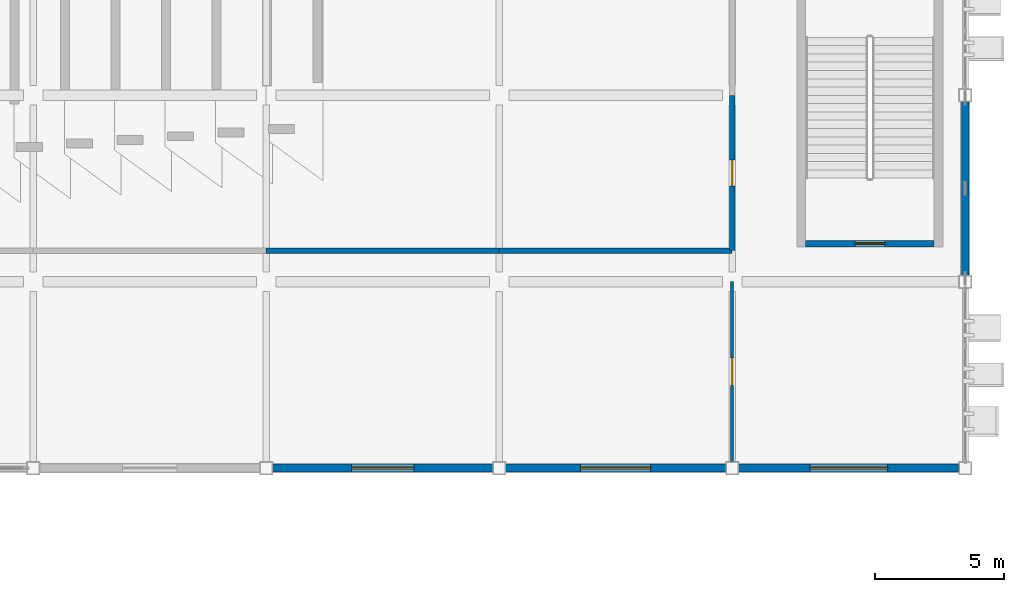
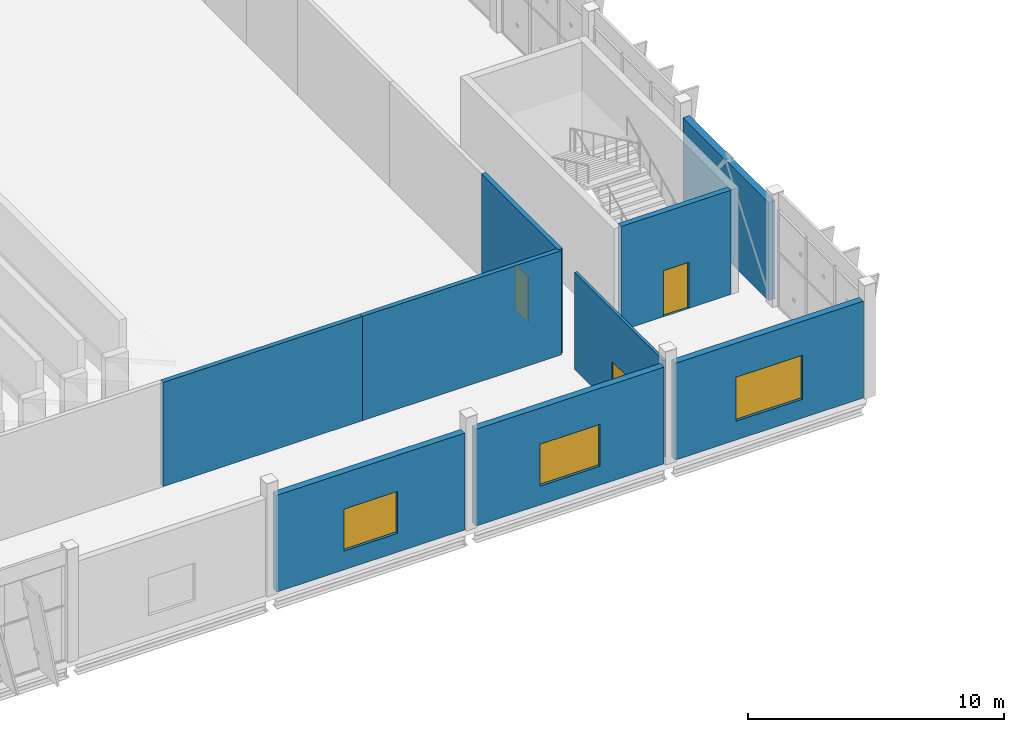
# One storey, part 138 of 189: 9 walls, 3 doors, 3 windows, 6 openings.
"""IFC4 building model written with IfcOpenShell, lengths in metres."""

from ifc_helpers import new_model, si_unit, direction, frame, frame_2d, origin, place, context, subcontext, project, spatial, rectangle, extrude, material, layer, layer_set, type_object, element, fill, save


model = new_model("IFC4")

# Units and contexts
model_context = context("Model", 3, precision=1e-05, world=origin(), true_north=direction((0.0, 1.0)))
body_context = subcontext(model_context, "Body", "Model", "MODEL_VIEW")
ifc_project = project(units=[si_unit("LENGTHUNIT", "METRE"), si_unit("AREAUNIT", "SQUARE_METRE"), si_unit("VOLUMEUNIT", "CUBIC_METRE"), si_unit("PLANEANGLEUNIT", "RADIAN"), si_unit("MASSUNIT", "GRAM", prefix="KILO")], contexts=[model_context])

# Site, building, storey
site_placement = place(None, origin())
site = spatial("IfcSite", under=ifc_project, at=site_placement, CompositionType="ELEMENT")
building_placement = place(site_placement, origin())
building = spatial("IfcBuilding", under=site, at=building_placement, Name="Celestram Park Convention Centre", CompositionType="ELEMENT")
storey_placement = place(building_placement, frame((0.0, 0.0, 5.39990234375)))
storey = spatial("IfcBuildingStorey", under=building, at=storey_placement, Name="L01", CompositionType="ELEMENT", Elevation=5.39990234375)

# Walls
ifc_material_1 = material(Name="Double-Stud Acoustic Gypsum Assembly", Category="gypsum")
ifc_layer_1 = layer(ifc_material_1, 0.199951171875)
ifc_layer_set_1 = layer_set([ifc_layer_1], Name="Double-Stud Acoustic Gypsum Assembly")
wall_type_1 = type_object("IfcWallType", Name="ARC-WL-ACO200", PredefinedType="PARTITIONING", material=ifc_layer_set_1)
for number, where, z_axis, x_axis, name in (
    (1, (189.0, 123.60009765625, 0.0), (0.0, 0.0, 1.0), (1.0, 0.0, 0.0), "Interior partition WL-L01-IN0712"),
    (2, (198.0, 123.60009765625, 0.0), (0.0, 0.0, 1.0), (1.0, 0.0, 0.0), "Interior partition WL-L01-IN0713"),
):
    element("IfcWall", number, at=place(storey_placement, frame(where, z_axis=z_axis, x_axis=x_axis)), inside=storey, type_object=wall_type_1, Name=name, PredefinedType="PARTITIONING", context=body_context, shape_type="SweptSolid", body=[
        extrude(rectangle(XDim=9.0, YDim=0.199951171875, at=frame_2d((4.5, 0.0))), origin(), (0.0, 0.0, 1.0), 4.97998046875),
    ])

# Wall, opening, door
wall_1_placement = place(storey_placement, frame((207.0, 123.60009765625, 0.0), z_axis=(0.0, 0.0, 1.0), x_axis=(0.0, 1.0, 0.0)))
wall_1 = element("IfcWall", 3, at=wall_1_placement, inside=storey, type_object=wall_type_1, Name="Interior partition WL-L01-IN0787", PredefinedType="PARTITIONING", context=body_context, shape_type="SweptSolid", body=[
    extrude(rectangle(XDim=6.0, YDim=0.199951171875, at=frame_2d((3.0, 0.0))), origin(), (0.0, 0.0, 1.0), 4.97998046875),
])
opening_1_placement = place(wall_1_placement, frame((2.5, 0.0, 0.0)))
opening_1 = element("IfcOpeningElement", 4, at=opening_1_placement, cuts=wall_1, Name="Opening D-07", PredefinedType="OPENING", context=body_context, shape_type="SweptSolid", body=[
    extrude(rectangle(XDim=1.0, YDim=2.14990234375, at=frame_2d((0.5, 1.074951171875))), frame((0.0, 0.10986328125, 0.0), z_axis=(0.0, -1.0, 0.0), x_axis=(1.0, 0.0, 0.0)), (0.0, 0.0, 1.0), 0.219970703125),
])
ifc_material_2 = material(Name="Solid Core White Oak Single Door", Category="wood")
door_type_1 = type_object("IfcDoorType", Name="ARC-DR-RM100", OperationType="NOTDEFINED", PredefinedType="DOOR", material=ifc_material_2)
door_1_placement = place(opening_1_placement, origin())
door_1 = element("IfcDoor", 5, at=door_1_placement, inside=storey, type_object=door_type_1, Name="Plenary Stage & Sound Lock entrance door", OperationType="SINGLE_SWING_RIGHT", OverallHeight=2.14990234375, OverallWidth=1.0, PredefinedType="DOOR", context=body_context, shape_type="SweptSolid", body=[
    extrude(rectangle(XDim=1.0, YDim=2.14990234375, at=frame_2d((0.5, 1.074951171875))), frame((0.0, 0.02490234375, 0.0), z_axis=(0.0, -1.0, 0.0), x_axis=(1.0, 0.0, 0.0)), (0.0, 0.0, 1.0), 0.050048828125),
])
fill(opening_1, door_1)

ifc_material_3 = material(Name="Concrete Block Masonry C25/30", Category="masonry")
ifc_layer_2 = layer(ifc_material_3, 0.25)
ifc_layer_set_2 = layer_set([ifc_layer_2], Name="Concrete Block Masonry C25/30")
wall_type_2 = type_object("IfcWallType", Name="ARC-WL-COR250", PredefinedType="STANDARD", material=ifc_layer_set_2)
wall_2_placement = place(storey_placement, frame((209.840087890625, 123.875, 0.0), z_axis=(0.0, 0.0, 1.0), x_axis=(1.0, 0.0, 0.0)))
wall_2 = element("IfcWall", 6, at=wall_2_placement, inside=storey, type_object=wall_type_2, Name="Core S08 stair entrance wall", PredefinedType="STANDARD", context=body_context, shape_type="SweptSolid", body=[
    extrude(rectangle(XDim=4.9599609375, YDim=0.25, at=frame_2d((2.47998046875, 0.0))), origin(), (0.0, 0.0, 1.0), 4.97998046875),
])
opening_2_placement = place(wall_2_placement, frame((1.905029296875, 0.0, 0.0)))
opening_2 = element("IfcOpeningElement", 7, at=opening_2_placement, cuts=wall_2, Name="Opening D-ST1", PredefinedType="OPENING", context=body_context, shape_type="SweptSolid", body=[
    extrude(rectangle(XDim=1.14990234375, YDim=2.199951171875, at=frame_2d((0.574951171875, 1.10009765625))), frame((0.0, 0.135009765625, 0.0), z_axis=(0.0, -1.0, 0.0), x_axis=(1.0, 0.0, 0.0)), (0.0, 0.0, 1.0), 0.27001953125),
])
ifc_material_4 = material(Name="Fire-Rated Hollow Metal Steel ASTM A653", Category="steel")
door_type_2 = type_object("IfcDoorType", Name="ARC-DR-ST115", OperationType="NOTDEFINED", PredefinedType="DOOR", material=ifc_material_4)
door_2_placement = place(opening_2_placement, origin())
door_2 = element("IfcDoor", 8, at=door_2_placement, inside=storey, type_object=door_type_2, Name="Exit stair ST-08 fire door", OperationType="SINGLE_SWING_LEFT", OverallHeight=2.199951171875, OverallWidth=1.14990234375, PredefinedType="DOOR", context=body_context, shape_type="SweptSolid", body=[
    extrude(rectangle(XDim=1.14990234375, YDim=2.199951171875, at=frame_2d((0.574951171875, 1.10009765625))), frame((0.0, 0.02490234375, 0.0), z_axis=(0.0, -1.0, 0.0), x_axis=(1.0, 0.0, 0.0)), (0.0, 0.0, 1.0), 0.050048828125),
])
fill(opening_2, door_2)

# Wall
ifc_material_5 = material(Name="Precast Concrete C40/50", Category="concrete")
ifc_layer_3 = layer(ifc_material_5, 0.300048828125)
ifc_layer_set_3 = layer_set([ifc_layer_3], Name="Precast Concrete C40/50")
wall_type_3 = type_object("IfcWallType", Name="ARC-WL-EXT300", PredefinedType="STANDARD", material=ifc_layer_set_3)
wall_3_placement = place(storey_placement, frame((216.0, 129.35205078125, 0.0), z_axis=(0.0, 0.0, 1.0), x_axis=(0.0, -1.0, 0.0)))
element("IfcWall", 9, at=wall_3_placement, inside=storey, type_object=wall_type_3, Name="Bush-hammered precast exterior wall WL-L01-EW108", PredefinedType="STANDARD", context=body_context, shape_type="SweptSolid", body=[
    extrude(rectangle(XDim=6.7041015625, YDim=0.300048828125, at=frame_2d((3.35205078125, 0.0))), origin(), (0.0, 0.0, 1.0), 4.68017578125),
])

# Wall, opening, window
wall_4_placement = place(storey_placement, frame((215.751953125, 115.199951171875, 0.0), z_axis=(0.0, 0.0, 1.0), x_axis=(-1.0, 0.0, 0.0)))
wall_4 = element("IfcWall", 10, at=wall_4_placement, inside=storey, type_object=wall_type_3, Name="Bush-hammered precast exterior wall WL-L01-EW109", PredefinedType="STANDARD", context=body_context, shape_type="SweptSolid", body=[
    extrude(rectangle(XDim=8.50390625, YDim=0.300048828125, at=frame_2d((4.251953125, 0.0))), origin(), (0.0, 0.0, 1.0), 4.6240234375),
])
opening_3_placement = place(wall_4_placement, frame((2.751953125, 0.0, 0.89990234375)))
opening_3 = element("IfcOpeningElement", 11, at=opening_3_placement, cuts=wall_4, Name="Opening W-02", PredefinedType="OPENING", context=body_context, shape_type="SweptSolid", body=[
    extrude(rectangle(XDim=3.0, YDim=2.10009765625, at=frame_2d((1.5, 1.050048828125))), frame((0.0, 0.159912109375, 0.0), z_axis=(0.0, -1.0, 0.0), x_axis=(1.0, 0.0, 0.0)), (0.0, 0.0, 1.0), 0.320068359375),
])
ifc_material_6 = material(Name="Thermally Broken Aluminium & Triple Glazing", Category="aluminium")
window_type_1 = type_object("IfcWindowType", Name="ARC-WN-300X220", PartitioningType="SINGLE_PANEL", PredefinedType="WINDOW", material=ifc_material_6)
window_1_placement = place(opening_3_placement, origin())
window_1 = element("IfcWindow", 12, at=window_1_placement, inside=storey, type_object=window_type_1, Name="Punched exterior window WN-L01-026", OverallHeight=2.10009765625, OverallWidth=3.0, PartitioningType="SINGLE_PANEL", PredefinedType="WINDOW", context=body_context, shape_type="SweptSolid", body=[
    extrude(rectangle(XDim=3.0, YDim=2.10009765625, at=frame_2d((1.5, 1.050048828125))), frame((0.0, 0.030029296875, 0.0), z_axis=(0.0, -1.0, 0.0), x_axis=(1.0, 0.0, 0.0)), (0.0, 0.0, 1.0), 0.06005859375),
])
fill(opening_3, window_1)

wall_5_placement = place(storey_placement, frame((206.751953125, 115.199951171875, 0.0), z_axis=(0.0, 0.0, 1.0), x_axis=(-1.0, 0.0, 0.0)))
wall_5 = element("IfcWall", 13, at=wall_5_placement, inside=storey, type_object=wall_type_3, Name="Bush-hammered precast exterior wall WL-L01-EW110", PredefinedType="STANDARD", context=body_context, shape_type="SweptSolid", body=[
    extrude(rectangle(XDim=8.50390625, YDim=0.300048828125, at=frame_2d((4.251953125, 0.0))), origin(), (0.0, 0.0, 1.0), 4.6240234375),
])
opening_4_placement = place(wall_5_placement, frame((2.902099609375, 0.0, 0.89990234375)))
opening_4 = element("IfcOpeningElement", 14, at=opening_4_placement, cuts=wall_5, Name="Opening W-03", PredefinedType="OPENING", context=body_context, shape_type="SweptSolid", body=[
    extrude(rectangle(XDim=2.699951171875, YDim=2.0, at=frame_2d((1.35009765625, 1.0))), frame((0.0, 0.159912109375, 0.0), z_axis=(0.0, -1.0, 0.0), x_axis=(1.0, 0.0, 0.0)), (0.0, 0.0, 1.0), 0.320068359375),
])
window_type_2 = type_object("IfcWindowType", Name="ARC-WN-270X200", PartitioningType="SINGLE_PANEL", PredefinedType="WINDOW", material=ifc_material_6)
window_2_placement = place(opening_4_placement, origin())
window_2 = element("IfcWindow", 15, at=window_2_placement, inside=storey, type_object=window_type_2, Name="Punched exterior window WN-L01-027", OverallHeight=2.0, OverallWidth=2.699951171875, PartitioningType="SINGLE_PANEL", PredefinedType="WINDOW", context=body_context, shape_type="SweptSolid", body=[
    extrude(rectangle(XDim=2.699951171875, YDim=2.0, at=frame_2d((1.35009765625, 1.0))), frame((0.0, 0.030029296875, 0.0), z_axis=(0.0, -1.0, 0.0), x_axis=(1.0, 0.0, 0.0)), (0.0, 0.0, 1.0), 0.06005859375),
])
fill(opening_4, window_2)

wall_6_placement = place(storey_placement, frame((197.751953125, 115.199951171875, 0.0), z_axis=(0.0, 0.0, 1.0), x_axis=(-1.0, 0.0, 0.0)))
wall_6 = element("IfcWall", 16, at=wall_6_placement, inside=storey, type_object=wall_type_3, Name="Bush-hammered precast exterior wall WL-L01-EW111", PredefinedType="STANDARD", context=body_context, shape_type="SweptSolid", body=[
    extrude(rectangle(XDim=8.50390625, YDim=0.300048828125, at=frame_2d((4.251953125, 0.0))), origin(), (0.0, 0.0, 1.0), 4.6240234375),
])
opening_5_placement = place(wall_6_placement, frame((3.052001953125, 0.0, 0.89990234375)))
opening_5 = element("IfcOpeningElement", 17, at=opening_5_placement, cuts=wall_6, Name="Opening W-04", PredefinedType="OPENING", context=body_context, shape_type="SweptSolid", body=[
    extrude(rectangle(XDim=2.39990234375, YDim=2.0, at=frame_2d((1.199951171875, 1.0))), frame((0.0, 0.159912109375, 0.0), z_axis=(0.0, -1.0, 0.0), x_axis=(1.0, 0.0, 0.0)), (0.0, 0.0, 1.0), 0.320068359375),
])
window_type_3 = type_object("IfcWindowType", Name="ARC-WN-240X200", PartitioningType="SINGLE_PANEL", PredefinedType="WINDOW", material=ifc_material_6)
window_3_placement = place(opening_5_placement, origin())
window_3 = element("IfcWindow", 18, at=window_3_placement, inside=storey, type_object=window_type_3, Name="Punched exterior window WN-L01-028", OverallHeight=2.0, OverallWidth=2.39990234375, PartitioningType="SINGLE_PANEL", PredefinedType="WINDOW", context=body_context, shape_type="SweptSolid", body=[
    extrude(rectangle(XDim=2.39990234375, YDim=2.0, at=frame_2d((1.199951171875, 1.0))), frame((0.0, 0.030029296875, 0.0), z_axis=(0.0, -1.0, 0.0), x_axis=(1.0, 0.0, 0.0)), (0.0, 0.0, 1.0), 0.06005859375),
])
fill(opening_5, window_3)

# Wall, opening, door
ifc_material_7 = material(Name="Standard Gypsum & Steel Stud 120 mm", Category="steel")
ifc_layer_4 = layer(ifc_material_7, 0.1201171875)
ifc_layer_set_4 = layer_set([ifc_layer_4], Name="Standard Gypsum & Steel Stud 120 mm")
wall_type_4 = type_object("IfcWallType", Name="ARC-WL-PRT120", PredefinedType="PARTITIONING", material=ifc_layer_set_4)
wall_7_placement = place(storey_placement, frame((207.0, 115.447998046875, 0.0), z_axis=(0.0, 0.0, 1.0), x_axis=(0.0, 1.0, 0.0)))
wall_7 = element("IfcWall", 19, at=wall_7_placement, inside=storey, type_object=wall_type_4, Name="Interior partition WL-L01-IN0786", PredefinedType="PARTITIONING", context=body_context, shape_type="SweptSolid", body=[
    extrude(rectangle(XDim=6.951904296875, YDim=0.1201171875, at=frame_2d((3.47607421875, 0.0))), origin(), (0.0, 0.0, 1.0), 4.6240234375),
])
opening_6_placement = place(wall_7_placement, frame((2.950927734375, 0.0, 0.0)))
opening_6 = element("IfcOpeningElement", 20, at=opening_6_placement, cuts=wall_7, Name="Opening D-06", PredefinedType="OPENING", context=body_context, shape_type="SweptSolid", body=[
    extrude(rectangle(XDim=1.050048828125, YDim=2.14990234375, at=frame_2d((0.52490234375, 1.074951171875))), frame((0.0, 0.070068359375, 0.0), z_axis=(0.0, -1.0, 0.0), x_axis=(1.0, 0.0, 0.0)), (0.0, 0.0, 1.0), 0.14013671875),
])
door_type_3 = type_object("IfcDoorType", Name="ARC-DR-RM105", OperationType="NOTDEFINED", PredefinedType="DOOR", material=ifc_material_2)
door_3_placement = place(opening_6_placement, origin())
door_3 = element("IfcDoor", 21, at=door_3_placement, inside=storey, type_object=door_type_3, Name="Plenary Stage & Sound Lock entrance door", OperationType="SINGLE_SWING_LEFT", OverallHeight=2.14990234375, OverallWidth=1.050048828125, PredefinedType="DOOR", context=body_context, shape_type="SweptSolid", body=[
    extrude(rectangle(XDim=1.050048828125, YDim=2.14990234375, at=frame_2d((0.52490234375, 1.074951171875))), frame((0.0, 0.02490234375, 0.0), z_axis=(0.0, -1.0, 0.0), x_axis=(1.0, 0.0, 0.0)), (0.0, 0.0, 1.0), 0.050048828125),
])
fill(opening_6, door_3)

save(model, "model.ifc")
